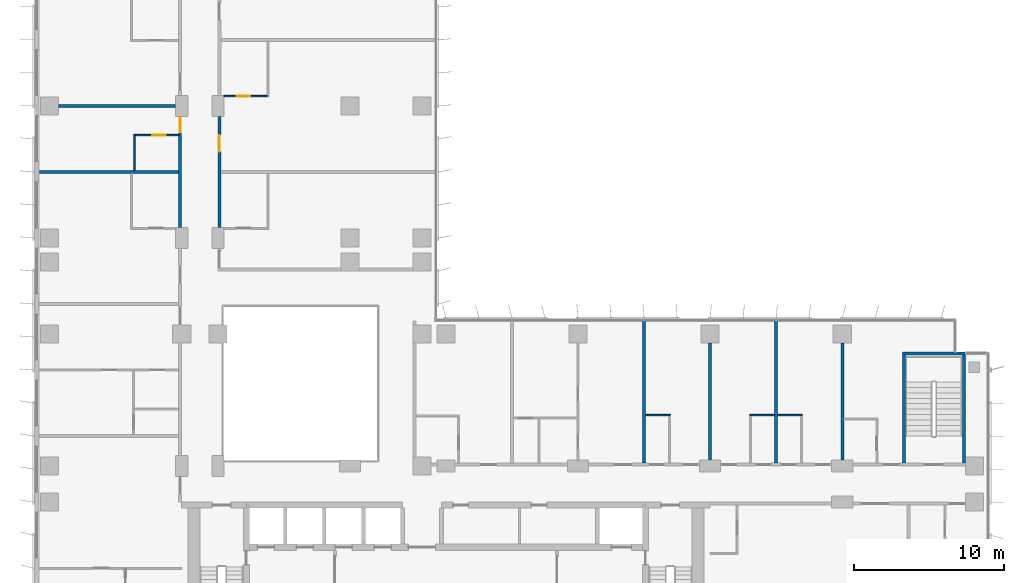
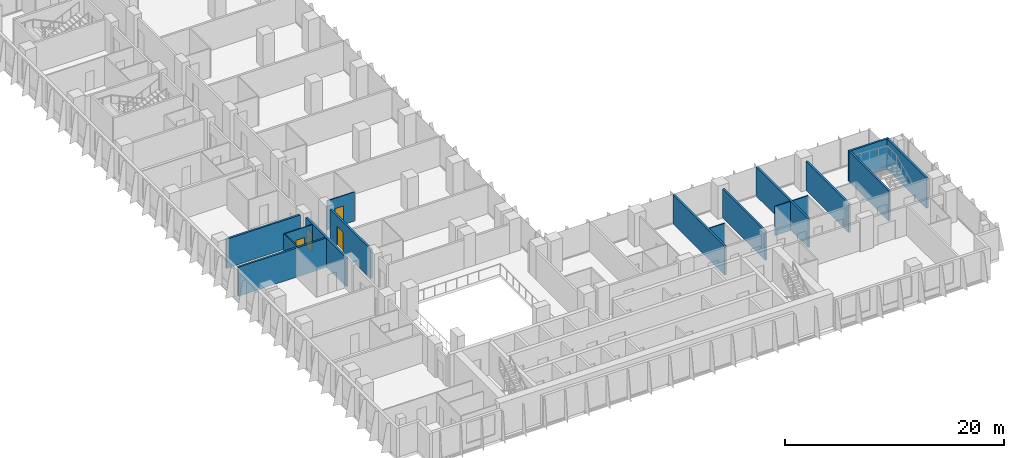
# One storey, part 15 of 22: 17 walls, 4 doors, 4 openings.
"""IFC4 building model written with IfcOpenShell, lengths in metres."""

from ifc_helpers import new_model, si_unit, direction, frame, frame_2d, origin, place, context, subcontext, project, spatial, rectangle, extrude, material, layer, layer_set, type_object, element, fill, save


model = new_model("IFC4")

# Units and contexts
model_context = context("Model", 3, precision=1e-05, world=origin(), true_north=direction((0.0, 1.0)))
body_context = subcontext(model_context, "Body", "Model", "MODEL_VIEW")
ifc_project = project(units=[si_unit("LENGTHUNIT", "METRE"), si_unit("AREAUNIT", "SQUARE_METRE"), si_unit("VOLUMEUNIT", "CUBIC_METRE"), si_unit("PLANEANGLEUNIT", "RADIAN"), si_unit("MASSUNIT", "GRAM", prefix="KILO")], contexts=[model_context])

# Site, building, storey
site_placement = place(None, origin())
site = spatial("IfcSite", under=ifc_project, at=site_placement, CompositionType="ELEMENT")
building_placement = place(site_placement, origin())
building = spatial("IfcBuilding", under=site, at=building_placement, Name="Kemantara Hotel Tower", CompositionType="ELEMENT")
storey_placement = place(building_placement, frame((0.0, 0.0, 149.39990234375)))
storey = spatial("IfcBuildingStorey", under=building, at=storey_placement, Name="L36", CompositionType="ELEMENT", Elevation=149.39990234375)

# Wall, opening, door
ifc_material_1 = material(Name="Gypsum board partition, steel studs and mineral wool, 200 mm", Category="steel")
ifc_layer_1 = layer(ifc_material_1, 0.199951171875)
ifc_layer_set_1 = layer_set([ifc_layer_1], Name="Gypsum board partition, steel studs and mineral wool, 200 mm")
wall_type_1 = type_object("IfcWallType", Name="CORRIDOR WALL 200", PredefinedType="PARTITIONING", material=ifc_layer_set_1)
wall_1_placement = place(storey_placement, frame((9.699951171875, 28.10009765625, 0.0), z_axis=(0.0, 0.0, 1.0), x_axis=(0.0, 1.0, 0.0)))
wall_1 = element("IfcWall", 1, at=wall_1_placement, inside=storey, type_object=wall_type_1, Name="CORRIDOR WALL 200 019", PredefinedType="PARTITIONING", context=body_context, shape_type="SweptSolid", body=[
    extrude(rectangle(XDim=7.39990234375, YDim=0.199951171875, at=frame_2d((3.699951171875, 0.0))), origin(), (0.0, 0.0, 1.0), 3.25),
])
opening_1_placement = place(wall_1_placement, frame((6.349853515625, 0.0, 0.0)))
opening_1 = element("IfcOpeningElement", 2, at=opening_1_placement, cuts=wall_1, Name="Opening F16-029", PredefinedType="OPENING", context=body_context, shape_type="SweptSolid", body=[
    extrude(rectangle(XDim=1.0, YDim=2.10009765625, at=frame_2d((0.5, 1.050048828125))), frame((0.0, 0.10986328125, 0.0), z_axis=(0.0, -1.0, 0.0), x_axis=(1.0, 0.0, 0.0)), (0.0, 0.0, 1.0), 0.219970703125),
])
ifc_material_2 = material(Name="Hardwood veneer door leaf with steel frame", Category="steel")
door_type_1 = type_object("IfcDoorType", Name="GUEST ROOM DOOR 1000 X 2100 FD30S", OperationType="NOTDEFINED", PredefinedType="DOOR", material=ifc_material_2)
door_1_placement = place(opening_1_placement, origin())
door_1 = element("IfcDoor", 3, at=door_1_placement, inside=storey, type_object=door_type_1, Name="GUEST ROOM DOOR F16-029", OperationType="SINGLE_SWING_RIGHT", OverallHeight=2.10009765625, OverallWidth=1.0, PredefinedType="DOOR", context=body_context, shape_type="SweptSolid", body=[
    extrude(rectangle(XDim=1.0, YDim=2.10009765625, at=frame_2d((0.5, 1.050048828125))), frame((0.0, 0.02490234375, 0.0), z_axis=(0.0, -1.0, 0.0), x_axis=(1.0, 0.0, 0.0)), (0.0, 0.0, 1.0), 0.050048828125),
])
fill(opening_1, door_1)

wall_2_placement = place(storey_placement, frame((12.300048828125, 35.5, 0.0), z_axis=(0.0, 0.0, 1.0), x_axis=(0.0, -1.0, 0.0)))
wall_2 = element("IfcWall", 4, at=wall_2_placement, inside=storey, type_object=wall_type_1, Name="CORRIDOR WALL 200 033", PredefinedType="PARTITIONING", context=body_context, shape_type="SweptSolid", body=[
    extrude(rectangle(XDim=7.39990234375, YDim=0.199951171875, at=frame_2d((3.699951171875, 0.0))), origin(), (0.0, 0.0, 1.0), 3.25),
])
opening_2_placement = place(wall_2_placement, frame((1.25, 0.0, 0.0)))
opening_2 = element("IfcOpeningElement", 5, at=opening_2_placement, cuts=wall_2, Name="Opening F16-047", PredefinedType="OPENING", context=body_context, shape_type="SweptSolid", body=[
    extrude(rectangle(XDim=1.10009765625, YDim=2.10009765625, at=frame_2d((0.550048828125, 1.050048828125))), frame((0.0, 0.10986328125, 0.0), z_axis=(0.0, -1.0, 0.0), x_axis=(1.0, 0.0, 0.0)), (0.0, 0.0, 1.0), 0.219970703125),
])
door_type_2 = type_object("IfcDoorType", Name="SUITE ENTRANCE DOOR 1100 X 2100 FD30S", OperationType="NOTDEFINED", PredefinedType="DOOR", material=ifc_material_2)
door_2_placement = place(opening_2_placement, origin())
door_2 = element("IfcDoor", 6, at=door_2_placement, inside=storey, type_object=door_type_2, Name="SUITE ENTRANCE DOOR F16-047", OperationType="SINGLE_SWING_RIGHT", OverallHeight=2.10009765625, OverallWidth=1.10009765625, PredefinedType="DOOR", context=body_context, shape_type="SweptSolid", body=[
    extrude(rectangle(XDim=1.10009765625, YDim=2.10009765625, at=frame_2d((0.550048828125, 1.050048828125))), frame((0.0, 0.02490234375, 0.0), z_axis=(0.0, -1.0, 0.0), x_axis=(1.0, 0.0, 0.0)), (0.0, 0.0, 1.0), 0.050048828125),
])
fill(opening_2, door_2)

# Walls
ifc_material_3 = material(Name="Concrete fc 40 MPa", Category="concrete")
ifc_layer_2 = layer(ifc_material_3, 0.199951171875)
ifc_layer_set_2 = layer_set([ifc_layer_2], Name="Concrete fc 40 MPa")
wall_type_2 = type_object("IfcWallType", Name="Concrete stair wall 200 mm", PredefinedType="SHEAR", material=ifc_layer_set_2)
wall_3_placement = place(storey_placement, frame((57.800048828125, 19.699951171875, 0.0), z_axis=(0.0, 0.0, 1.0), x_axis=(1.0, 0.0, 0.0)))
element("IfcWall", 7, at=wall_3_placement, inside=storey, type_object=wall_type_2, Name="Stair ST3 enclosure wall N", PredefinedType="SHEAR", context=body_context, shape_type="SweptSolid", body=[
    extrude(rectangle(XDim=4.199951171875, YDim=0.199951171875, at=frame_2d((2.10009765625, 0.0))), origin(), (0.0, 0.0, 1.0), 3.400146484375),
])
for number, where, z_axis, x_axis, name in (
    (8, (57.89990234375, 12.39990234375, 0.0), (0.0, 0.0, 1.0), (0.0, 1.0, 0.0), "Stair ST3 enclosure wall W"),
    (9, (61.89990234375, 12.39990234375, 0.0), (0.0, 0.0, 1.0), (0.0, 1.0, 0.0), "Stair ST3 enclosure wall E"),
):
    element("IfcWall", number, at=place(storey_placement, frame(where, z_axis=z_axis, x_axis=x_axis)), inside=storey, type_object=wall_type_2, Name=name, PredefinedType="SHEAR", context=body_context, shape_type="SweptSolid", body=[
        extrude(rectangle(XDim=7.2001953125, YDim=0.199951171875, at=frame_2d((3.60009765625, 0.0))), origin(), (0.0, 0.0, 1.0), 3.400146484375),
    ])
ifc_layer_3 = layer(ifc_material_1, 0.199951171875)
ifc_layer_set_3 = layer_set([ifc_layer_3], Name="Gypsum board partition, steel studs and mineral wool, 200 mm")
wall_type_3 = type_object("IfcWallType", Name="GUEST ROOM PARTY WALL 200", PredefinedType="PARTITIONING", material=ifc_layer_set_3)
wall_4_placement = place(storey_placement, frame((40.60009765625, 12.39990234375, 0.0), z_axis=(0.0, 0.0, 1.0), x_axis=(0.0, 1.0, 0.0)))
element("IfcWall", 10, at=wall_4_placement, inside=storey, type_object=wall_type_3, Name="GUEST ROOM PARTY WALL 200 012", PredefinedType="PARTITIONING", context=body_context, shape_type="SweptSolid", body=[
    extrude(rectangle(XDim=9.47021484375, YDim=0.199951171875, at=frame_2d((4.735107421875, 0.0))), origin(), (0.0, 0.0, 1.0), 3.25),
])
wall_5_placement = place(storey_placement, frame((45.0, 12.60009765625, 0.0), z_axis=(0.0, 0.0, 1.0), x_axis=(0.0, 1.0, 0.0)))
element("IfcWall", 11, at=wall_5_placement, inside=storey, type_object=wall_type_3, Name="GUEST ROOM PARTY WALL 200 013", PredefinedType="PARTITIONING", context=body_context, shape_type="SweptSolid", body=[
    extrude(rectangle(XDim=7.7998046875, YDim=0.199951171875, at=frame_2d((3.89990234375, 0.0))), origin(), (0.0, 0.0, 1.0), 3.25),
])
wall_6_placement = place(storey_placement, frame((49.39990234375, 12.39990234375, 0.0), z_axis=(0.0, 0.0, 1.0), x_axis=(0.0, 1.0, 0.0)))
element("IfcWall", 12, at=wall_6_placement, inside=storey, type_object=wall_type_3, Name="GUEST ROOM PARTY WALL 200 014", PredefinedType="PARTITIONING", context=body_context, shape_type="SweptSolid", body=[
    extrude(rectangle(XDim=9.47021484375, YDim=0.199951171875, at=frame_2d((4.735107421875, 0.0))), origin(), (0.0, 0.0, 1.0), 3.25),
])
wall_7_placement = place(storey_placement, frame((53.800048828125, 12.60009765625, 0.0), z_axis=(0.0, 0.0, 1.0), x_axis=(0.0, 1.0, 0.0)))
element("IfcWall", 13, at=wall_7_placement, inside=storey, type_object=wall_type_3, Name="GUEST ROOM PARTY WALL 200 015", PredefinedType="PARTITIONING", context=body_context, shape_type="SweptSolid", body=[
    extrude(rectangle(XDim=7.7998046875, YDim=0.199951171875, at=frame_2d((3.89990234375, 0.0))), origin(), (0.0, 0.0, 1.0), 3.25),
])
wall_8_placement = place(storey_placement, frame((0.31005859375, 31.800048828125, 0.0), z_axis=(0.0, 0.0, 1.0), x_axis=(1.0, 0.0, 0.0)))
element("IfcWall", 14, at=wall_8_placement, inside=storey, type_object=wall_type_3, Name="GUEST ROOM PARTY WALL 200 027", PredefinedType="PARTITIONING", context=body_context, shape_type="SweptSolid", body=[
    extrude(rectangle(XDim=9.2900390625, YDim=0.199951171875, at=frame_2d((4.64501953125, 0.0))), origin(), (0.0, 0.0, 1.0), 3.25),
])
wall_9_placement = place(storey_placement, frame((1.60009765625, 36.199951171875, 0.0), z_axis=(0.0, 0.0, 1.0), x_axis=(1.0, 0.0, 0.0)))
element("IfcWall", 15, at=wall_9_placement, inside=storey, type_object=wall_type_3, Name="GUEST ROOM PARTY WALL 200 029", PredefinedType="PARTITIONING", context=body_context, shape_type="SweptSolid", body=[
    extrude(rectangle(XDim=7.7998046875, YDim=0.199951171875, at=frame_2d((3.89990234375, 0.0))), origin(), (0.0, 0.0, 1.0), 3.25),
])
ifc_material_4 = material(Name="Gypsum board partition on steel studs, 100 mm", Category="steel")
ifc_layer_4 = layer(ifc_material_4, 0.10009765625)
ifc_layer_set_4 = layer_set([ifc_layer_4], Name="Gypsum board partition on steel studs, 100 mm")
wall_type_4 = type_object("IfcWallType", Name="ROOM PARTITION 100", PredefinedType="PARTITIONING", material=ifc_layer_set_4)
for number, where, z_axis, x_axis, name in (
    (16, (40.699951171875, 15.60009765625, 0.0), (0.0, 0.0, 1.0), (1.0, 0.0, 0.0), "ROOM PARTITION 100 054"),
    (17, (47.64990234375, 15.60009765625, 0.0), (0.0, 0.0, 1.0), (1.0, 0.0, 0.0), "ROOM PARTITION 100 055"),
):
    element("IfcWall", number, at=place(storey_placement, frame(where, z_axis=z_axis, x_axis=x_axis)), inside=storey, type_object=wall_type_4, Name=name, PredefinedType="PARTITIONING", context=body_context, shape_type="SweptSolid", body=[
        extrude(rectangle(XDim=1.650146484375, YDim=0.10009765625, at=frame_2d((0.8251953125, 0.0))), origin(), (0.0, 0.0, 1.0), 3.25),
    ])
wall_10_placement = place(storey_placement, frame((49.5, 15.60009765625, 0.0), z_axis=(0.0, 0.0, 1.0), x_axis=(1.0, 0.0, 0.0)))
element("IfcWall", 18, at=wall_10_placement, inside=storey, type_object=wall_type_4, Name="ROOM PARTITION 100 056", PredefinedType="PARTITIONING", context=body_context, shape_type="SweptSolid", body=[
    extrude(rectangle(XDim=1.64990234375, YDim=0.10009765625, at=frame_2d((0.824951171875, 0.0))), origin(), (0.0, 0.0, 1.0), 3.25),
])
wall_11_placement = place(storey_placement, frame((6.64990234375, 31.89990234375, 0.0), z_axis=(0.0, 0.0, 1.0), x_axis=(0.0, 1.0, 0.0)))
element("IfcWall", 19, at=wall_11_placement, inside=storey, type_object=wall_type_4, Name="ROOM PARTITION 100 076", PredefinedType="PARTITIONING", context=body_context, shape_type="SweptSolid", body=[
    extrude(rectangle(XDim=2.400146484375, YDim=0.10009765625, at=frame_2d((1.2001953125, 0.0))), origin(), (0.0, 0.0, 1.0), 3.25),
])

# Wall, opening, door
wall_12_placement = place(storey_placement, frame((9.60009765625, 34.25, 0.0), z_axis=(0.0, 0.0, 1.0), x_axis=(-1.0, 0.0, 0.0)))
wall_12 = element("IfcWall", 20, at=wall_12_placement, inside=storey, type_object=wall_type_4, Name="ROOM PARTITION 100 078", PredefinedType="PARTITIONING", context=body_context, shape_type="SweptSolid", body=[
    extrude(rectangle(XDim=2.900146484375, YDim=0.10009765625, at=frame_2d((1.4501953125, 0.0))), origin(), (0.0, 0.0, 1.0), 3.25),
])
opening_3_placement = place(wall_12_placement, frame((0.85009765625, 0.0, 0.0)))
opening_3 = element("IfcOpeningElement", 21, at=opening_3_placement, cuts=wall_12, Name="Opening F16-030", PredefinedType="OPENING", context=body_context, shape_type="SweptSolid", body=[
    extrude(rectangle(XDim=0.89990234375, YDim=2.10009765625, at=frame_2d((0.449951171875, 1.050048828125))), frame((0.0, 0.06005859375, 0.0), z_axis=(0.0, -1.0, 0.0), x_axis=(1.0, 0.0, 0.0)), (0.0, 0.0, 1.0), 0.1201171875),
])
door_type_3 = type_object("IfcDoorType", Name="BATHROOM DOOR 900 X 2100", OperationType="NOTDEFINED", PredefinedType="DOOR", material=ifc_material_2)
door_3_placement = place(opening_3_placement, origin())
door_3 = element("IfcDoor", 22, at=door_3_placement, inside=storey, type_object=door_type_3, Name="BATHROOM DOOR F16-030", OperationType="SINGLE_SWING_LEFT", OverallHeight=2.10009765625, OverallWidth=0.89990234375, PredefinedType="DOOR", context=body_context, shape_type="SweptSolid", body=[
    extrude(rectangle(XDim=0.89990234375, YDim=2.10009765625, at=frame_2d((0.449951171875, 1.050048828125))), frame((0.0, 0.02490234375, 0.0), z_axis=(0.0, -1.0, 0.0), x_axis=(1.0, 0.0, 0.0)), (0.0, 0.0, 1.0), 0.050048828125),
])
fill(opening_3, door_3)

wall_13_placement = place(storey_placement, frame((12.60009765625, 36.85009765625, 0.0), z_axis=(0.0, 0.0, 1.0), x_axis=(1.0, 0.0, 0.0)))
wall_13 = element("IfcWall", 23, at=wall_13_placement, inside=storey, type_object=wall_type_4, Name="ROOM PARTITION 100 092", PredefinedType="PARTITIONING", context=body_context, shape_type="SweptSolid", body=[
    extrude(rectangle(XDim=2.89990234375, YDim=0.10009765625, at=frame_2d((1.449951171875, 0.0))), origin(), (0.0, 0.0, 1.0), 3.25),
])
opening_4_placement = place(wall_13_placement, frame((0.849853515625, 0.0, 0.0)))
opening_4 = element("IfcOpeningElement", 24, at=opening_4_placement, cuts=wall_13, Name="Opening F16-048", PredefinedType="OPENING", context=body_context, shape_type="SweptSolid", body=[
    extrude(rectangle(XDim=0.89990234375, YDim=2.10009765625, at=frame_2d((0.449951171875, 1.050048828125))), frame((0.0, 0.06005859375, 0.0), z_axis=(0.0, -1.0, 0.0), x_axis=(1.0, 0.0, 0.0)), (0.0, 0.0, 1.0), 0.1201171875),
])
door_4_placement = place(opening_4_placement, origin())
door_4 = element("IfcDoor", 25, at=door_4_placement, inside=storey, type_object=door_type_3, Name="BATHROOM DOOR F16-048", OperationType="SINGLE_SWING_LEFT", OverallHeight=2.10009765625, OverallWidth=0.89990234375, PredefinedType="DOOR", context=body_context, shape_type="SweptSolid", body=[
    extrude(rectangle(XDim=0.89990234375, YDim=2.10009765625, at=frame_2d((0.449951171875, 1.050048828125))), frame((0.0, 0.02490234375, 0.0), z_axis=(0.0, -1.0, 0.0), x_axis=(1.0, 0.0, 0.0)), (0.0, 0.0, 1.0), 0.050048828125),
])
fill(opening_4, door_4)

save(model, "model.ifc")
